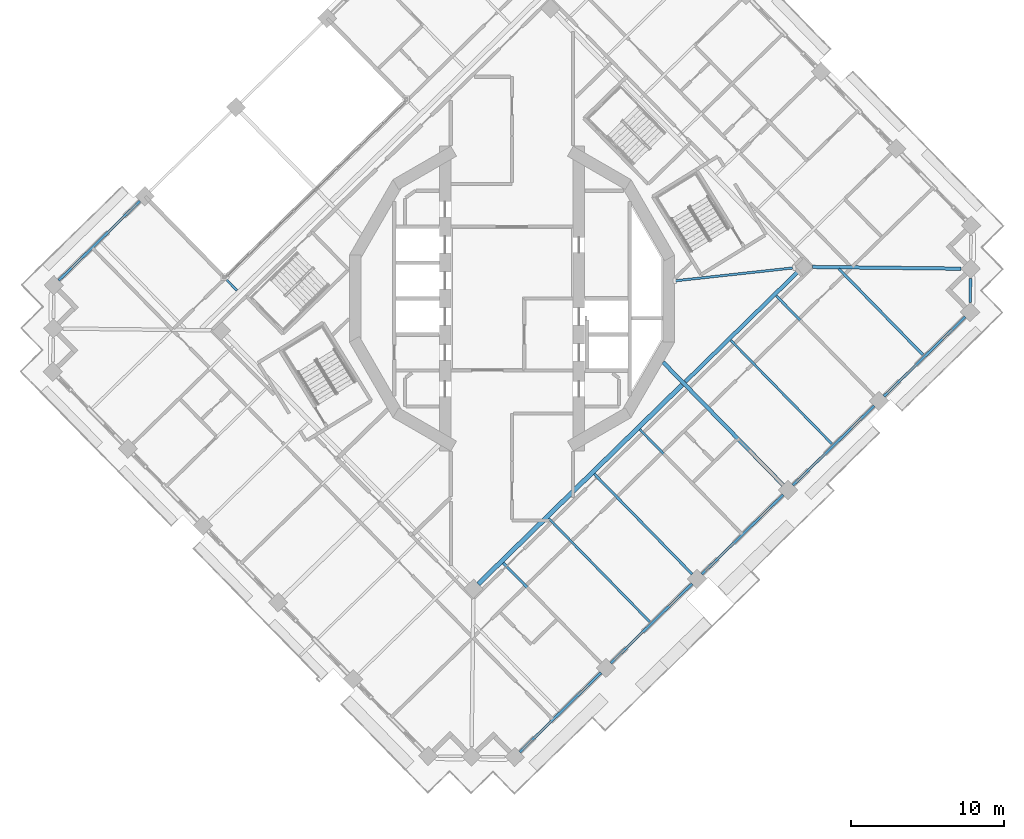
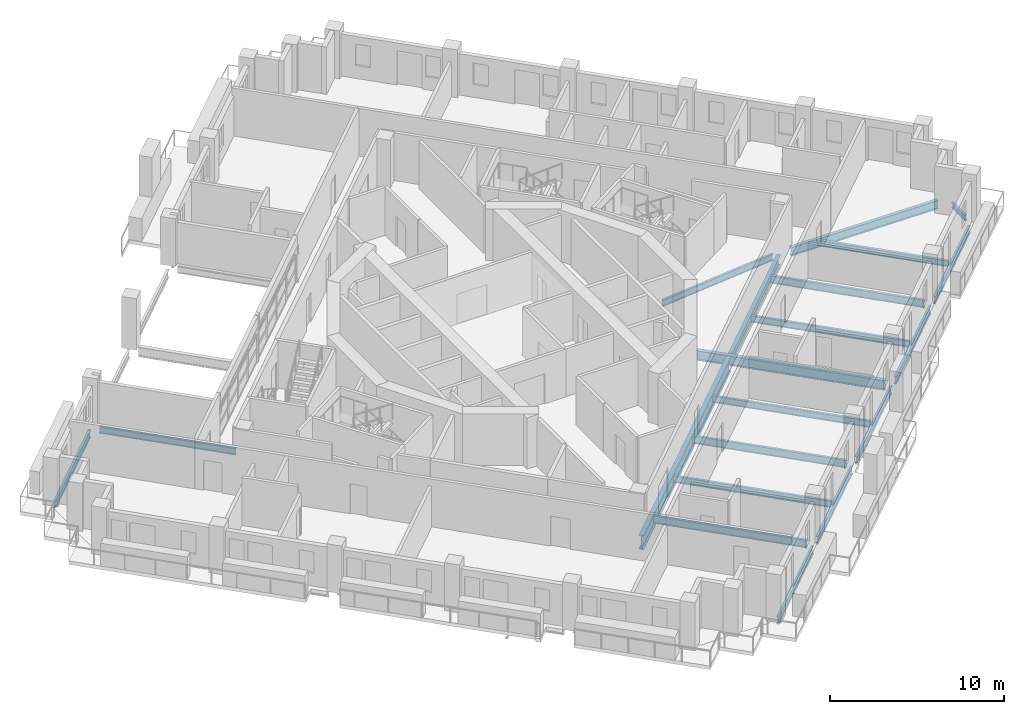
# One storey, part 3 of 21: 20 beams.
"""IFC4 building model written with IfcOpenShell, lengths in metres."""

from ifc_helpers import new_model, si_unit, direction, frame, origin, origin_2d, place, context, subcontext, project, spatial, i_section, extrude, material, material_profile, profile_set, type_object, element, save


model = new_model("IFC4")

# Units and contexts
model_context = context("Model", 3, precision=1e-05, world=origin(), true_north=direction((0.0, 1.0)))
body_context = subcontext(model_context, "Body", "Model", "MODEL_VIEW")
ifc_project = project(units=[si_unit("LENGTHUNIT", "METRE"), si_unit("AREAUNIT", "SQUARE_METRE"), si_unit("VOLUMEUNIT", "CUBIC_METRE"), si_unit("PLANEANGLEUNIT", "RADIAN"), si_unit("MASSUNIT", "GRAM", prefix="KILO")], contexts=[model_context])

# Site, building, storey
site_placement = place(None, origin())
site = spatial("IfcSite", under=ifc_project, at=site_placement, CompositionType="ELEMENT")
building_placement = place(site_placement, origin())
building = spatial("IfcBuilding", under=site, at=building_placement, Name="Cantera Rosa Tower", CompositionType="ELEMENT")
storey_placement = place(building_placement, frame((0.0, 0.0, 230.60009765625)))
storey = spatial("IfcBuildingStorey", under=building, at=storey_placement, Name="L50", CompositionType="ELEMENT", Elevation=230.60009765625)

# Beams
ifc_material_1 = material(Name="Steel ASTM A992 (Fy 345 MPa)", Category="steel")
ifc_material_profile_1 = material_profile(ifc_material_1, i_section(OverallWidth=0.302001953125, OverallDepth=1.010009765625, WebThickness=0.02099609375, FlangeThickness=0.0400390625, FilletRadius=0.030029296875, at=origin_2d()), Name="W1000X350")
ifc_profile_set_1 = profile_set([ifc_material_profile_1], Name="Steel ASTM A992 (Fy 345 MPa)")
beam_type_1 = type_object("IfcBeamType", Name="STEEL BEAM W1000X350", PredefinedType="BEAM", material=ifc_profile_set_1)
beam_1_placement = place(storey_placement, frame((-2.197021484375, -18.643310546875, -0.755126953125), z_axis=(0.715290925107, 0.698826797182, 0.0), x_axis=(-0.698826797182, 0.715290925107, 0.0)))
element("IfcBeam", 1, at=beam_1_placement, inside=storey, type_object=beam_type_1, Name="RB-Z4-03 L50", PredefinedType="BEAM", context=body_context, shape_type="SweptSolid", body=[
    extrude(i_section(OverallWidth=0.302001953125, OverallDepth=1.010009765625, WebThickness=0.02099609375, FlangeThickness=0.0400390625, FilletRadius=0.030029296875, at=origin_2d()), origin(), (0.0, 0.0, 1.0), 18.60986328125),
])
ifc_material_2 = material(Name="Steel ASTM A992 (Fy 345 MPa)", Category="steel")
ifc_material_profile_2 = material_profile(ifc_material_2, i_section(OverallWidth=0.154052734375, OverallDepth=0.4599609375, WebThickness=0.009033203125, FlangeThickness=0.015380859375, FilletRadius=0.01025390625, at=origin_2d()), Name="W460X68")
ifc_profile_set_2 = profile_set([ifc_material_profile_2], Name="Steel ASTM A992 (Fy 345 MPa)")
beam_type_2 = type_object("IfcBeamType", Name="STEEL BEAM W460X68", PredefinedType="BEAM", material=ifc_profile_set_2)
beam_2_placement = place(storey_placement, frame((-23.672119140625, 6.37109375, -0.47998046875), z_axis=(0.698836133494, -0.715281803574, 0.0), x_axis=(0.715281803574, 0.698836133494, 0.0)))
element("IfcBeam", 2, at=beam_2_placement, inside=storey, type_object=beam_type_2, Name="G-Z4-08 L50", PredefinedType="BEAM", context=body_context, shape_type="SweptSolid", body=[
    extrude(i_section(OverallWidth=0.154052734375, OverallDepth=0.4599609375, WebThickness=0.009033203125, FlangeThickness=0.015380859375, FilletRadius=0.01025390625, at=origin_2d()), origin(), (0.0, 0.0, 1.0), 8.150146484375),
])
beam_3_placement = place(storey_placement, frame((18.44287109375, 2.014892578125, -0.47998046875), z_axis=(-0.994086100692, -0.108594771563, 0.0), x_axis=(0.108594771563, -0.994086100692, 0.0)))
element("IfcBeam", 3, at=beam_3_placement, inside=storey, type_object=beam_type_2, Name="PG-Z4-01 L50", PredefinedType="BEAM", context=body_context, shape_type="SweptSolid", body=[
    extrude(i_section(OverallWidth=0.154052734375, OverallDepth=0.4599609375, WebThickness=0.009033203125, FlangeThickness=0.015380859375, FilletRadius=0.01025390625, at=origin_2d()), origin(), (0.0, 0.0, 1.0), 7.864013671875),
])
ifc_material_3 = material(Name="Steel ASTM A992 (Fy 345 MPa)", Category="steel")
ifc_material_profile_3 = material_profile(ifc_material_3, i_section(OverallWidth=0.166015625, OverallDepth=0.528076171875, WebThickness=0.009765625, FlangeThickness=0.013671875, FilletRadius=0.0126953125, at=origin_2d()), Name="W530X74")
ifc_profile_set_3 = profile_set([ifc_material_profile_3], Name="Steel ASTM A992 (Fy 345 MPa)")
beam_type_3 = type_object("IfcBeamType", Name="STEEL BEAM W530X74", PredefinedType="BEAM", material=ifc_profile_set_3)
for number, where, z_axis, x_axis, name in (
    (4, (5.818603515625, -23.81396484375, -0.51416015625), (-0.698827481213, 0.71529025682, 0.0), (-0.71529025682, -0.698827481213, 0.0), "G-Z4-09 L50"),
    (5, (11.769775390625, -17.999755859375, -0.51416015625), (-0.698827481213, 0.71529025682, 0.0), (-0.71529025682, -0.698827481213, 0.0), "G-Z4-10 L50"),
    (6, (23.672119140625, -6.37109375, -0.51416015625), (-0.698827481213, 0.71529025682, 0.0), (-0.71529025682, -0.698827481213, 0.0), "G-Z4-12 L50"),
):
    element("IfcBeam", number, at=place(storey_placement, frame(where, z_axis=z_axis, x_axis=x_axis)), inside=storey, type_object=beam_type_3, Name=name, PredefinedType="BEAM", context=body_context, shape_type="SweptSolid", body=[
        extrude(i_section(OverallWidth=0.166015625, OverallDepth=0.528076171875, WebThickness=0.009765625, FlangeThickness=0.013671875, FilletRadius=0.0126953125, at=origin_2d()), origin(), (0.0, 0.0, 1.0), 9.14990234375),
    ])
ifc_material_4 = material(Name="Steel ASTM A992 (Fy 345 MPa)", Category="steel")
ifc_material_profile_4 = material_profile(ifc_material_4, i_section(OverallWidth=0.22802734375, OverallDepth=0.60205078125, WebThickness=0.010498046875, FlangeThickness=0.014892578125, FilletRadius=0.0126953125, at=origin_2d()), Name="W610X101")
ifc_profile_set_4 = profile_set([ifc_material_profile_4], Name="Steel ASTM A992 (Fy 345 MPa)")
beam_type_4 = type_object("IfcBeamType", Name="STEEL BEAM W610X101", PredefinedType="BEAM", material=ifc_profile_set_4)
beam_4_placement = place(storey_placement, frame((29.334228515625, 1.95703125, -0.551025390625), z_axis=(-0.999932504919, 0.011618330597, 0.0), x_axis=(-0.011618330597, -0.999932504919, 0.0)))
element("IfcBeam", 7, at=beam_4_placement, inside=storey, type_object=beam_type_4, Name="CB-Z4-04 L50", PredefinedType="BEAM", context=body_context, shape_type="SweptSolid", body=[
    extrude(i_section(OverallWidth=0.22802734375, OverallDepth=0.60205078125, WebThickness=0.010498046875, FlangeThickness=0.014892578125, FilletRadius=0.0126953125, at=origin_2d()), origin(), (0.0, 0.0, 1.0), 9.687255859375),
])
ifc_material_5 = material(Name="Steel ASTM A992 (Fy 345 MPa)", Category="steel")
ifc_material_profile_5 = material_profile(ifc_material_5, i_section(OverallWidth=0.25390625, OverallDepth=0.677978515625, WebThickness=0.01171875, FlangeThickness=0.016357421875, FilletRadius=0.01513671875, at=origin_2d()), Name="W690X125")
ifc_profile_set_5 = profile_set([ifc_material_profile_5], Name="Steel ASTM A992 (Fy 345 MPa)")
beam_type_5 = type_object("IfcBeamType", Name="STEEL BEAM W690X125", PredefinedType="BEAM", material=ifc_profile_set_5)
beam_5_placement = place(storey_placement, frame((17.720947265625, -12.185302734375, -0.589111328125), z_axis=(-0.698831358516, 0.715286468734, 0.0), x_axis=(-0.715286468734, -0.698831358516, 0.0)))
element("IfcBeam", 8, at=beam_5_placement, inside=storey, type_object=beam_type_5, Name="G-Z4-11 L50", PredefinedType="BEAM", context=body_context, shape_type="SweptSolid", body=[
    extrude(i_section(OverallWidth=0.25390625, OverallDepth=0.677978515625, WebThickness=0.01171875, FlangeThickness=0.016357421875, FilletRadius=0.01513671875, at=origin_2d()), origin(), (0.0, 0.0, 1.0), 11.2314453125),
])
beam_6_placement = place(storey_placement, frame((11.3291015625, -5.428466796875, -0.589111328125), z_axis=(0.715291776896, 0.698825925324, 0.0), x_axis=(-0.698825925324, 0.715291776896, 0.0)))
element("IfcBeam", 9, at=beam_6_placement, inside=storey, type_object=beam_type_5, Name="RB-Z4-04 L50", PredefinedType="BEAM", context=body_context, shape_type="SweptSolid", body=[
    extrude(i_section(OverallWidth=0.25390625, OverallDepth=0.677978515625, WebThickness=0.01171875, FlangeThickness=0.016357421875, FilletRadius=0.01513671875, at=origin_2d()), origin(), (0.0, 0.0, 1.0), 10.2900390625),
])
ifc_material_6 = material(Name="Steel ASTM A992 (Fy 345 MPa)", Category="steel")
ifc_material_profile_6 = material_profile(ifc_material_6, i_section(OverallWidth=0.177978515625, OverallDepth=0.406005859375, WebThickness=0.0078125, FlangeThickness=0.0126953125, FilletRadius=0.01025390625, at=origin_2d()), Name="W410X60")
ifc_profile_set_6 = profile_set([ifc_material_profile_6], Name="Steel ASTM A992 (Fy 345 MPa)")
beam_type_6 = type_object("IfcBeamType", Name="STEEL JOIST W410X60", PredefinedType="JOIST", material=ifc_profile_set_6)
beam_7_placement = place(storey_placement, frame((26.857421875, -3.678466796875, -0.453125), z_axis=(-0.698843394481, 0.715274709458, 0.0), x_axis=(-0.715274709458, -0.698843394481, 0.0)))
element("IfcBeam", 10, at=beam_7_placement, inside=storey, type_object=beam_type_6, Name="B-Z4-15 L50", PredefinedType="JOIST", context=body_context, shape_type="SweptSolid", body=[
    extrude(i_section(OverallWidth=0.177978515625, OverallDepth=0.406005859375, WebThickness=0.0078125, FlangeThickness=0.0126953125, FilletRadius=0.01025390625, at=origin_2d()), origin(), (0.0, 0.0, 1.0), 7.860107421875),
])
ifc_material_7 = material(Name="Steel ASTM A992 (Fy 345 MPa)", Category="steel")
ifc_material_profile_7 = material_profile(ifc_material_7, i_section(OverallWidth=0.154052734375, OverallDepth=0.4599609375, WebThickness=0.009033203125, FlangeThickness=0.015380859375, FilletRadius=0.01025390625, at=origin_2d()), Name="W460X68")
ifc_profile_set_7 = profile_set([ifc_material_profile_7], Name="Steel ASTM A992 (Fy 345 MPa)")
beam_type_7 = type_object("IfcBeamType", Name="STEEL JOIST W460X68", PredefinedType="JOIST", material=ifc_profile_set_7)
beam_8_placement = place(storey_placement, frame((9.00390625, -21.121337890625, -0.47998046875), z_axis=(-0.698843443844, 0.715274661229, 0.0), x_axis=(-0.715274661229, -0.698843443844, 0.0)))
element("IfcBeam", 11, at=beam_8_placement, inside=storey, type_object=beam_type_7, Name="B-Z4-12 L50", PredefinedType="JOIST", context=body_context, shape_type="SweptSolid", body=[
    extrude(i_section(OverallWidth=0.154052734375, OverallDepth=0.4599609375, WebThickness=0.009033203125, FlangeThickness=0.015380859375, FilletRadius=0.01025390625, at=origin_2d()), origin(), (0.0, 0.0, 1.0), 9.449951171875),
])
for number, where, z_axis, x_axis, name in (
    (12, (14.955078125, -15.30712890625, -0.47998046875), (-0.698830529832, 0.715287278354, 0.0), (-0.715287278354, -0.698830529832, 0.0), "B-Z4-13 L50"),
    (13, (20.90625, -9.492919921875, -0.47998046875), (-0.698830529832, 0.715287278354, 0.0), (-0.715287278354, -0.698830529832, 0.0), "B-Z4-14 L50"),
):
    element("IfcBeam", number, at=place(storey_placement, frame(where, z_axis=z_axis, x_axis=x_axis)), inside=storey, type_object=beam_type_7, Name=name, PredefinedType="JOIST", context=body_context, shape_type="SweptSolid", body=[
        extrude(i_section(OverallWidth=0.154052734375, OverallDepth=0.4599609375, WebThickness=0.009033203125, FlangeThickness=0.015380859375, FilletRadius=0.01025390625, at=origin_2d()), origin(), (0.0, 0.0, 1.0), 9.4501953125),
    ])
ifc_material_8 = material(Name="Steel ASTM A992 (Fy 345 MPa)", Category="steel")
ifc_material_profile_8 = material_profile(ifc_material_8, i_section(OverallWidth=0.1708984375, OverallDepth=0.35595703125, WebThickness=0.00732421875, FlangeThickness=0.01171875, FilletRadius=0.010009765625, at=origin_2d()), Name="W360X51")
ifc_profile_set_8 = profile_set([ifc_material_profile_8], Name="Steel ASTM A992 (Fy 345 MPa)")
beam_type_8 = type_object("IfcBeamType", Name="STEEL SPANDREL BEAM W360X51", PredefinedType="SPANDREL", material=ifc_profile_set_8)
beam_9_placement = place(storey_placement, frame((29.945068359375, -0.242431640625, -0.427978515625), z_axis=(0.011769429589, 0.999930737865, 0.0), x_axis=(-0.999930737865, 0.011769429589, 0.0)))
element("IfcBeam", 14, at=beam_9_placement, inside=storey, type_object=beam_type_8, Name="EB-Z4-27 L50", PredefinedType="SPANDREL", context=body_context, shape_type="SweptSolid", body=[
    extrude(i_section(OverallWidth=0.1708984375, OverallDepth=0.35595703125, WebThickness=0.00732421875, FlangeThickness=0.01171875, FilletRadius=0.010009765625, at=origin_2d()), origin(), (0.0, 0.0, 1.0), 1.5556640625),
])
ifc_material_9 = material(Name="Steel ASTM A992 (Fy 345 MPa)", Category="steel")
ifc_material_profile_9 = material_profile(ifc_material_9, i_section(OverallWidth=0.166015625, OverallDepth=0.528076171875, WebThickness=0.009765625, FlangeThickness=0.013671875, FilletRadius=0.0126953125, at=origin_2d()), Name="W530X74")
ifc_profile_set_9 = profile_set([ifc_material_profile_9], Name="Steel ASTM A992 (Fy 345 MPa)")
beam_type_9 = type_object("IfcBeamType", Name="STEEL SPANDREL BEAM W530X74", PredefinedType="SPANDREL", material=ifc_profile_set_9)
beam_10_placement = place(storey_placement, frame((-24.308349609375, 6.37841796875, -0.51416015625), z_axis=(-0.715300826176, -0.698816662703, 0.0), x_axis=(0.698816662703, -0.715300826176, 0.0)))
element("IfcBeam", 15, at=beam_10_placement, inside=storey, type_object=beam_type_9, Name="EB-Z4-12 L50", PredefinedType="SPANDREL", context=body_context, shape_type="SweptSolid", body=[
    extrude(i_section(OverallWidth=0.166015625, OverallDepth=0.528076171875, WebThickness=0.009765625, FlangeThickness=0.013671875, FilletRadius=0.0126953125, at=origin_2d()), origin(), (0.0, 0.0, 1.0), 7.420166015625),
])
beam_11_placement = place(storey_placement, frame((0.503662109375, -29.6357421875, -0.51416015625), z_axis=(0.715284379566, 0.698833496871, 0.0), x_axis=(-0.698833496871, 0.715284379566, 0.0)))
element("IfcBeam", 16, at=beam_11_placement, inside=storey, type_object=beam_type_9, Name="EB-Z4-22 L50", PredefinedType="SPANDREL", context=body_context, shape_type="SweptSolid", body=[
    extrude(i_section(OverallWidth=0.166015625, OverallDepth=0.528076171875, WebThickness=0.009765625, FlangeThickness=0.013671875, FilletRadius=0.0126953125, at=origin_2d()), origin(), (0.0, 0.0, 1.0), 7.42041015625),
])
for number, where, z_axis, x_axis, name in (
    (17, (6.454833984375, -23.8212890625, -0.51416015625), (0.715300826176, 0.698816662703, 0.0), (-0.698816662703, 0.715300826176, 0.0), "EB-Z4-23 L50"),
    (18, (12.406005859375, -18.007080078125, -0.51416015625), (0.715300826176, 0.698816662703, 0.0), (-0.698816662703, 0.715300826176, 0.0), "EB-Z4-24 L50"),
    (19, (18.357177734375, -12.19287109375, -0.51416015625), (0.715300826176, 0.698816662703, 0.0), (-0.698816662703, 0.715300826176, 0.0), "EB-Z4-25 L50"),
    (20, (24.308349609375, -6.37841796875, -0.51416015625), (0.715300826176, 0.698816662703, 0.0), (-0.698816662703, 0.715300826176, 0.0), "EB-Z4-26 L50"),
):
    element("IfcBeam", number, at=place(storey_placement, frame(where, z_axis=z_axis, x_axis=x_axis)), inside=storey, type_object=beam_type_9, Name=name, PredefinedType="SPANDREL", context=body_context, shape_type="SweptSolid", body=[
        extrude(i_section(OverallWidth=0.166015625, OverallDepth=0.528076171875, WebThickness=0.009765625, FlangeThickness=0.013671875, FilletRadius=0.0126953125, at=origin_2d()), origin(), (0.0, 0.0, 1.0), 7.420166015625),
    ])

save(model, "model.ifc")
